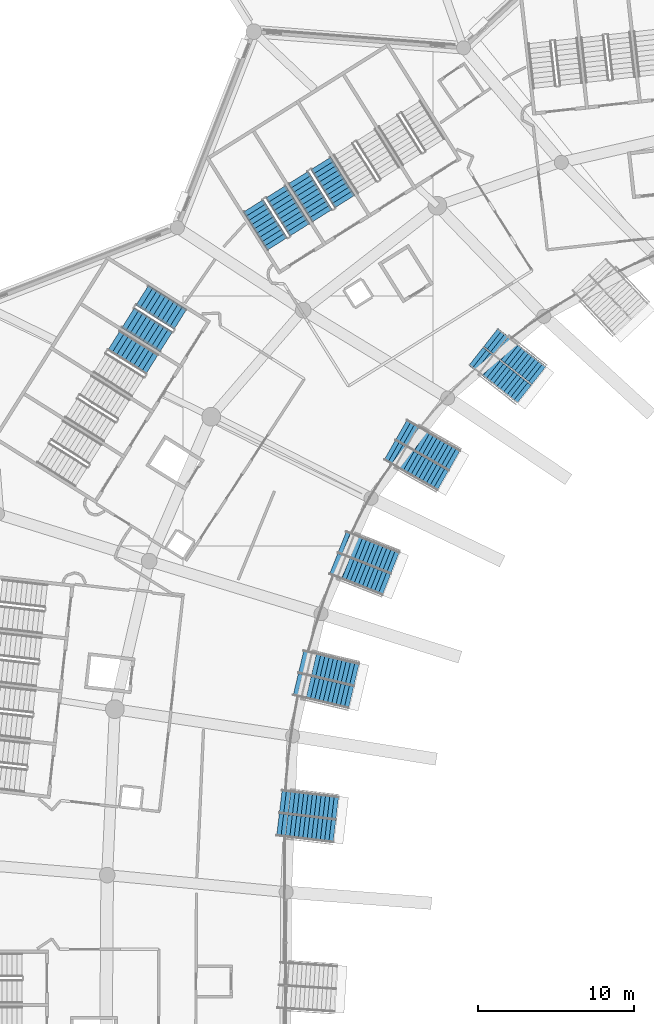
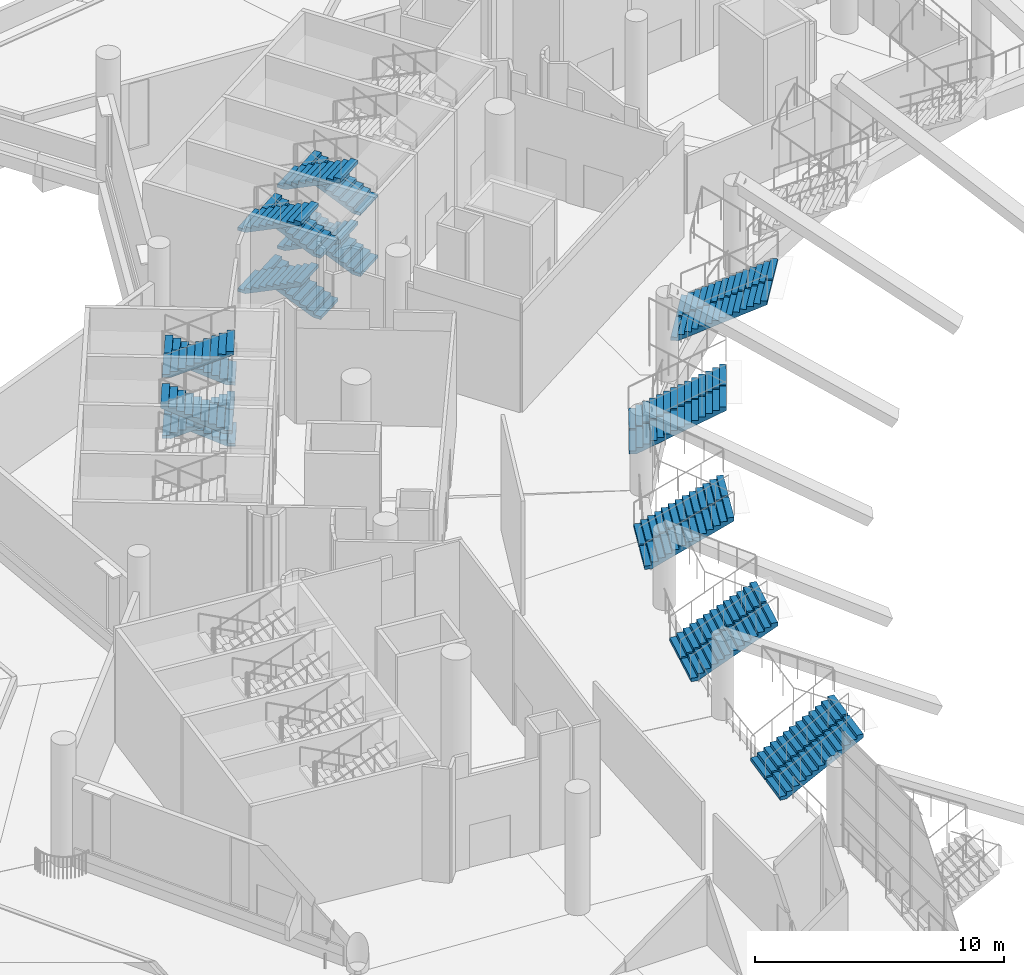
# One storey, part 94 of 173: 23 stair flights, 9 elements without a shape of their own.
"""IFC4 building model written with IfcOpenShell, lengths in metres."""

from ifc_helpers import new_model, si_unit, direction, frame, origin, place, context, subcontext, project, spatial, polyline, outline, extrude, material, type_object, element, aggregate, save


model = new_model("IFC4")

# Units and contexts
model_context = context("Model", 3, precision=1e-05, world=origin(), true_north=direction((0.0, 1.0)))
body_context = subcontext(model_context, "Body", "Model", "MODEL_VIEW")
ifc_project = project(units=[si_unit("LENGTHUNIT", "METRE"), si_unit("AREAUNIT", "SQUARE_METRE"), si_unit("VOLUMEUNIT", "CUBIC_METRE"), si_unit("PLANEANGLEUNIT", "RADIAN"), si_unit("MASSUNIT", "GRAM", prefix="KILO")], contexts=[model_context])

# Site, building, storey
site_placement = place(None, origin())
site = spatial("IfcSite", under=ifc_project, at=site_placement, CompositionType="ELEMENT")
building_placement = place(site_placement, origin())
building = spatial("IfcBuilding", under=site, at=building_placement, Name="Meseta Stadium", CompositionType="ELEMENT")
storey_placement = place(building_placement, frame((0.0, 0.0, 18.0)))
storey = spatial("IfcBuildingStorey", under=building, at=storey_placement, Name="L03", CompositionType="ELEMENT", Elevation=18.0)

# Stair, stair flights
ifc_material_1 = material(Name="Concrete C40/50", Category="concrete")
stair_type_1 = type_object("IfcStairType", Name="Exit stair 4 flights 150 mm risers", PredefinedType="HALF_TURN_STAIR", material=ifc_material_1)
stair_1_placement = place(storey_placement, origin())
stair_1 = element("IfcStair", 1, at=stair_1_placement, inside=storey, type_object=stair_type_1, Name="ST51 L03", PredefinedType="HALF_TURN_STAIR")
ifc_material_2 = material(Name="Concrete C40/50", Category="concrete")
stair_flight_type_1 = type_object("IfcStairFlightType", Name="Exit stair flight 150 mm risers, 4 per storey", PredefinedType="STRAIGHT", material=ifc_material_2)
stair_flight_1_placement = place(storey_placement, frame((-69.650390625, 86.04150390625, 0.0), z_axis=(0.0, 0.0, 1.0), x_axis=(-0.532032074404, 0.846724200555, 0.0)))
stair_flight_1 = element("IfcStairFlight", 2, at=stair_flight_1_placement, type_object=stair_flight_type_1, Name="ST51 L03 flight 1", NumberOfRisers=10, NumberOfTreads=9, PredefinedType="STRAIGHT", RiserHeight=0.15, TreadLength=0.32, context=body_context, shape_type="SweptSolid", body=[
    extrude(outline(polyline([(0.0, 0.0), (0.0, 0.14990234375), (0.320068359375, 0.14990234375), (0.320068359375, 0.300048828125), (0.639892578125, 0.300048828125), (0.639892578125, 0.449951171875), (0.9599609375, 0.449951171875), (0.9599609375, 0.60009765625), (1.280029296875, 0.60009765625), (1.280029296875, 0.75), (1.60009765625, 0.75), (1.60009765625, 0.89990234375), (1.919921875, 0.89990234375), (1.919921875, 1.050048828125), (2.239990234375, 1.050048828125), (2.239990234375, 1.199951171875), (2.56005859375, 1.199951171875), (2.56005859375, 1.35009765625), (2.8798828125, 1.35009765625), (2.8798828125, 1.184326171875), (0.353271484375, 0.0), (0.0, 0.0)])), frame((0.0, 0.75, 0.0), z_axis=(0.0, -1.0, 0.0), x_axis=(1.0, 0.0, 0.0)), (0.0, 0.0, 1.0), 1.5),
])
stair_flight_2_placement = place(storey_placement, frame((-72.6220703125, 87.57568359375, 1.5), z_axis=(0.0, 0.0, 1.0), x_axis=(0.532032074404, -0.846724200555, 0.0)))
stair_flight_2 = element("IfcStairFlight", 3, at=stair_flight_2_placement, type_object=stair_flight_type_1, Name="ST51 L03 flight 2", NumberOfRisers=10, NumberOfTreads=9, PredefinedType="STRAIGHT", RiserHeight=0.15, TreadLength=0.32, context=body_context, shape_type="SweptSolid", body=[
    extrude(outline(polyline([(0.0, 0.0), (0.0, 0.14990234375), (0.320068359375, 0.14990234375), (0.320068359375, 0.300048828125), (0.639892578125, 0.300048828125), (0.639892578125, 0.449951171875), (0.9599609375, 0.449951171875), (0.9599609375, 0.60009765625), (1.280029296875, 0.60009765625), (1.280029296875, 0.75), (1.60009765625, 0.75), (1.60009765625, 0.89990234375), (1.919921875, 0.89990234375), (1.919921875, 1.050048828125), (2.239990234375, 1.050048828125), (2.239990234375, 1.199951171875), (2.56005859375, 1.199951171875), (2.56005859375, 1.35009765625), (2.8798828125, 1.35009765625), (2.8798828125, 1.184326171875), (0.353271484375, 0.0), (0.0, 0.0)])), frame((0.0, 0.75, 0.0), z_axis=(0.0, -1.0, 0.0), x_axis=(1.0, 0.0, 0.0)), (0.0, 0.0, 1.0), 1.5),
])
stair_flight_3_placement = place(storey_placement, frame((-69.650390625, 86.04150390625, 3.0), z_axis=(0.0, 0.0, 1.0), x_axis=(-0.532032074404, 0.846724200555, 0.0)))
stair_flight_3 = element("IfcStairFlight", 4, at=stair_flight_3_placement, type_object=stair_flight_type_1, Name="ST51 L03 flight 3", NumberOfRisers=10, NumberOfTreads=9, PredefinedType="STRAIGHT", RiserHeight=0.15, TreadLength=0.32, context=body_context, shape_type="SweptSolid", body=[
    extrude(outline(polyline([(0.0, 0.0), (0.0, 0.14990234375), (0.320068359375, 0.14990234375), (0.320068359375, 0.300048828125), (0.639892578125, 0.300048828125), (0.639892578125, 0.449951171875), (0.9599609375, 0.449951171875), (0.9599609375, 0.60009765625), (1.280029296875, 0.60009765625), (1.280029296875, 0.75), (1.60009765625, 0.75), (1.60009765625, 0.89990234375), (1.919921875, 0.89990234375), (1.919921875, 1.050048828125), (2.239990234375, 1.050048828125), (2.239990234375, 1.199951171875), (2.56005859375, 1.199951171875), (2.56005859375, 1.35009765625), (2.8798828125, 1.35009765625), (2.8798828125, 1.184326171875), (0.353271484375, 0.0), (0.0, 0.0)])), frame((0.0, 0.75, 0.0), z_axis=(0.0, -1.0, 0.0), x_axis=(1.0, 0.0, 0.0)), (0.0, 0.0, 1.0), 1.5),
])
stair_flight_4_placement = place(storey_placement, frame((-72.6220703125, 87.57568359375, 4.5), z_axis=(0.0, 0.0, 1.0), x_axis=(0.532032074404, -0.846724200555, 0.0)))
stair_flight_4 = element("IfcStairFlight", 5, at=stair_flight_4_placement, type_object=stair_flight_type_1, Name="ST51 L03 flight 4", NumberOfRisers=10, NumberOfTreads=9, PredefinedType="STRAIGHT", RiserHeight=0.15, TreadLength=0.32, context=body_context, shape_type="SweptSolid", body=[
    extrude(outline(polyline([(0.0, 0.0), (0.0, 0.14990234375), (0.320068359375, 0.14990234375), (0.320068359375, 0.300048828125), (0.639892578125, 0.300048828125), (0.639892578125, 0.449951171875), (0.9599609375, 0.449951171875), (0.9599609375, 0.60009765625), (1.280029296875, 0.60009765625), (1.280029296875, 0.75), (1.60009765625, 0.75), (1.60009765625, 0.89990234375), (1.919921875, 0.89990234375), (1.919921875, 1.050048828125), (2.239990234375, 1.050048828125), (2.239990234375, 1.199951171875), (2.56005859375, 1.199951171875), (2.56005859375, 1.35009765625), (2.8798828125, 1.35009765625), (2.8798828125, 1.184326171875), (0.353271484375, 0.0), (0.0, 0.0)])), frame((0.0, 0.75, 0.0), z_axis=(0.0, -1.0, 0.0), x_axis=(1.0, 0.0, 0.0)), (0.0, 0.0, 1.0), 1.5),
])
aggregate(stair_1, [stair_flight_1, stair_flight_2, stair_flight_3, stair_flight_4])

stair_2_placement = place(storey_placement, origin())
stair_2 = element("IfcStair", 6, at=stair_2_placement, inside=storey, type_object=stair_type_1, Name="ST52 L03", PredefinedType="HALF_TURN_STAIR")
stair_flight_5_placement = place(storey_placement, frame((-72.529052734375, 84.232666015625, 0.0), z_axis=(0.0, 0.0, 1.0), x_axis=(-0.532032074404, 0.846724200555, 0.0)))
stair_flight_5 = element("IfcStairFlight", 7, at=stair_flight_5_placement, type_object=stair_flight_type_1, Name="ST52 L03 flight 1", NumberOfRisers=10, NumberOfTreads=9, PredefinedType="STRAIGHT", RiserHeight=0.15, TreadLength=0.32, context=body_context, shape_type="SweptSolid", body=[
    extrude(outline(polyline([(0.0, 0.0), (0.0, 0.14990234375), (0.320068359375, 0.14990234375), (0.320068359375, 0.300048828125), (0.639892578125, 0.300048828125), (0.639892578125, 0.449951171875), (0.9599609375, 0.449951171875), (0.9599609375, 0.60009765625), (1.280029296875, 0.60009765625), (1.280029296875, 0.75), (1.60009765625, 0.75), (1.60009765625, 0.89990234375), (1.919921875, 0.89990234375), (1.919921875, 1.050048828125), (2.239990234375, 1.050048828125), (2.239990234375, 1.199951171875), (2.56005859375, 1.199951171875), (2.56005859375, 1.35009765625), (2.8798828125, 1.35009765625), (2.8798828125, 1.184326171875), (0.353271484375, 0.0), (0.0, 0.0)])), frame((0.0, 0.75, 0.0), z_axis=(0.0, -1.0, 0.0), x_axis=(1.0, 0.0, 0.0)), (0.0, 0.0, 1.0), 1.5),
])
stair_flight_6_placement = place(storey_placement, frame((-75.500732421875, 85.766845703125, 1.5), z_axis=(0.0, 0.0, 1.0), x_axis=(0.532032074404, -0.846724200555, 0.0)))
stair_flight_6 = element("IfcStairFlight", 8, at=stair_flight_6_placement, type_object=stair_flight_type_1, Name="ST52 L03 flight 2", NumberOfRisers=10, NumberOfTreads=9, PredefinedType="STRAIGHT", RiserHeight=0.15, TreadLength=0.32, context=body_context, shape_type="SweptSolid", body=[
    extrude(outline(polyline([(0.0, 0.0), (0.0, 0.14990234375), (0.320068359375, 0.14990234375), (0.320068359375, 0.300048828125), (0.639892578125, 0.300048828125), (0.639892578125, 0.449951171875), (0.9599609375, 0.449951171875), (0.9599609375, 0.60009765625), (1.280029296875, 0.60009765625), (1.280029296875, 0.75), (1.60009765625, 0.75), (1.60009765625, 0.89990234375), (1.919921875, 0.89990234375), (1.919921875, 1.050048828125), (2.239990234375, 1.050048828125), (2.239990234375, 1.199951171875), (2.56005859375, 1.199951171875), (2.56005859375, 1.35009765625), (2.8798828125, 1.35009765625), (2.8798828125, 1.184326171875), (0.353271484375, 0.0), (0.0, 0.0)])), frame((0.0, 0.75, 0.0), z_axis=(0.0, -1.0, 0.0), x_axis=(1.0, 0.0, 0.0)), (0.0, 0.0, 1.0), 1.5),
])
stair_flight_7_placement = place(storey_placement, frame((-72.529052734375, 84.232666015625, 3.0), z_axis=(0.0, 0.0, 1.0), x_axis=(-0.532032074404, 0.846724200555, 0.0)))
stair_flight_7 = element("IfcStairFlight", 9, at=stair_flight_7_placement, type_object=stair_flight_type_1, Name="ST52 L03 flight 3", NumberOfRisers=10, NumberOfTreads=9, PredefinedType="STRAIGHT", RiserHeight=0.15, TreadLength=0.32, context=body_context, shape_type="SweptSolid", body=[
    extrude(outline(polyline([(0.0, 0.0), (0.0, 0.14990234375), (0.320068359375, 0.14990234375), (0.320068359375, 0.300048828125), (0.639892578125, 0.300048828125), (0.639892578125, 0.449951171875), (0.9599609375, 0.449951171875), (0.9599609375, 0.60009765625), (1.280029296875, 0.60009765625), (1.280029296875, 0.75), (1.60009765625, 0.75), (1.60009765625, 0.89990234375), (1.919921875, 0.89990234375), (1.919921875, 1.050048828125), (2.239990234375, 1.050048828125), (2.239990234375, 1.199951171875), (2.56005859375, 1.199951171875), (2.56005859375, 1.35009765625), (2.8798828125, 1.35009765625), (2.8798828125, 1.184326171875), (0.353271484375, 0.0), (0.0, 0.0)])), frame((0.0, 0.75, 0.0), z_axis=(0.0, -1.0, 0.0), x_axis=(1.0, 0.0, 0.0)), (0.0, 0.0, 1.0), 1.5),
])
stair_flight_8_placement = place(storey_placement, frame((-75.500732421875, 85.766845703125, 4.5), z_axis=(0.0, 0.0, 1.0), x_axis=(0.532032074404, -0.846724200555, 0.0)))
stair_flight_8 = element("IfcStairFlight", 10, at=stair_flight_8_placement, type_object=stair_flight_type_1, Name="ST52 L03 flight 4", NumberOfRisers=10, NumberOfTreads=9, PredefinedType="STRAIGHT", RiserHeight=0.15, TreadLength=0.32, context=body_context, shape_type="SweptSolid", body=[
    extrude(outline(polyline([(0.0, 0.0), (0.0, 0.14990234375), (0.320068359375, 0.14990234375), (0.320068359375, 0.300048828125), (0.639892578125, 0.300048828125), (0.639892578125, 0.449951171875), (0.9599609375, 0.449951171875), (0.9599609375, 0.60009765625), (1.280029296875, 0.60009765625), (1.280029296875, 0.75), (1.60009765625, 0.75), (1.60009765625, 0.89990234375), (1.919921875, 0.89990234375), (1.919921875, 1.050048828125), (2.239990234375, 1.050048828125), (2.239990234375, 1.199951171875), (2.56005859375, 1.199951171875), (2.56005859375, 1.35009765625), (2.8798828125, 1.35009765625), (2.8798828125, 1.184326171875), (0.353271484375, 0.0), (0.0, 0.0)])), frame((0.0, 0.75, 0.0), z_axis=(0.0, -1.0, 0.0), x_axis=(1.0, 0.0, 0.0)), (0.0, 0.0, 1.0), 1.5),
])
aggregate(stair_2, [stair_flight_5, stair_flight_6, stair_flight_7, stair_flight_8])

stair_3_placement = place(storey_placement, origin())
stair_3 = element("IfcStair", 11, at=stair_3_placement, inside=storey, type_object=stair_type_1, Name="ST53 L03", PredefinedType="HALF_TURN_STAIR")
stair_flight_9_placement = place(storey_placement, frame((-80.175048828125, 78.500732421875, 0.0), z_axis=(0.0, 0.0, 1.0), x_axis=(-0.846724200555, 0.532032074404, 0.0)))
stair_flight_9 = element("IfcStairFlight", 12, at=stair_flight_9_placement, type_object=stair_flight_type_1, Name="ST53 L03 flight 1", NumberOfRisers=10, NumberOfTreads=9, PredefinedType="STRAIGHT", RiserHeight=0.15, TreadLength=0.32, context=body_context, shape_type="SweptSolid", body=[
    extrude(outline(polyline([(0.0, 0.0), (0.0, 0.14990234375), (0.320068359375, 0.14990234375), (0.320068359375, 0.300048828125), (0.639892578125, 0.300048828125), (0.639892578125, 0.449951171875), (0.9599609375, 0.449951171875), (0.9599609375, 0.60009765625), (1.280029296875, 0.60009765625), (1.280029296875, 0.75), (1.60009765625, 0.75), (1.60009765625, 0.89990234375), (1.919921875, 0.89990234375), (1.919921875, 1.050048828125), (2.239990234375, 1.050048828125), (2.239990234375, 1.199951171875), (2.56005859375, 1.199951171875), (2.56005859375, 1.35009765625), (2.8798828125, 1.35009765625), (2.8798828125, 1.184326171875), (0.353271484375, 0.0), (0.0, 0.0)])), frame((0.0, 0.75, 0.0), z_axis=(0.0, -1.0, 0.0), x_axis=(1.0, 0.0, 0.0)), (0.0, 0.0, 1.0), 1.5),
])
stair_flight_10_placement = place(storey_placement, frame((-83.51806640625, 78.593505859375, 1.5), z_axis=(0.0, 0.0, 1.0), x_axis=(0.846724200555, -0.532032074404, 0.0)))
stair_flight_10 = element("IfcStairFlight", 13, at=stair_flight_10_placement, type_object=stair_flight_type_1, Name="ST53 L03 flight 2", NumberOfRisers=10, NumberOfTreads=9, PredefinedType="STRAIGHT", RiserHeight=0.15, TreadLength=0.32, context=body_context, shape_type="SweptSolid", body=[
    extrude(outline(polyline([(0.0, 0.0), (0.0, 0.14990234375), (0.320068359375, 0.14990234375), (0.320068359375, 0.300048828125), (0.639892578125, 0.300048828125), (0.639892578125, 0.449951171875), (0.9599609375, 0.449951171875), (0.9599609375, 0.60009765625), (1.280029296875, 0.60009765625), (1.280029296875, 0.75), (1.60009765625, 0.75), (1.60009765625, 0.89990234375), (1.919921875, 0.89990234375), (1.919921875, 1.050048828125), (2.239990234375, 1.050048828125), (2.239990234375, 1.199951171875), (2.56005859375, 1.199951171875), (2.56005859375, 1.35009765625), (2.8798828125, 1.35009765625), (2.8798828125, 1.184326171875), (0.353271484375, 0.0), (0.0, 0.0)])), frame((0.0, 0.75, 0.0), z_axis=(0.0, -1.0, 0.0), x_axis=(1.0, 0.0, 0.0)), (0.0, 0.0, 1.0), 1.5),
])
stair_flight_11_placement = place(storey_placement, frame((-80.175048828125, 78.500732421875, 3.0), z_axis=(0.0, 0.0, 1.0), x_axis=(-0.846724200555, 0.532032074404, 0.0)))
stair_flight_11 = element("IfcStairFlight", 14, at=stair_flight_11_placement, type_object=stair_flight_type_1, Name="ST53 L03 flight 3", NumberOfRisers=10, NumberOfTreads=9, PredefinedType="STRAIGHT", RiserHeight=0.15, TreadLength=0.32, context=body_context, shape_type="SweptSolid", body=[
    extrude(outline(polyline([(0.0, 0.0), (0.0, 0.14990234375), (0.320068359375, 0.14990234375), (0.320068359375, 0.300048828125), (0.639892578125, 0.300048828125), (0.639892578125, 0.449951171875), (0.9599609375, 0.449951171875), (0.9599609375, 0.60009765625), (1.280029296875, 0.60009765625), (1.280029296875, 0.75), (1.60009765625, 0.75), (1.60009765625, 0.89990234375), (1.919921875, 0.89990234375), (1.919921875, 1.050048828125), (2.239990234375, 1.050048828125), (2.239990234375, 1.199951171875), (2.56005859375, 1.199951171875), (2.56005859375, 1.35009765625), (2.8798828125, 1.35009765625), (2.8798828125, 1.184326171875), (0.353271484375, 0.0), (0.0, 0.0)])), frame((0.0, 0.75, 0.0), z_axis=(0.0, -1.0, 0.0), x_axis=(1.0, 0.0, 0.0)), (0.0, 0.0, 1.0), 1.5),
])
stair_flight_12_placement = place(storey_placement, frame((-83.51806640625, 78.593505859375, 4.5), z_axis=(0.0, 0.0, 1.0), x_axis=(0.846724200555, -0.532032074404, 0.0)))
stair_flight_12 = element("IfcStairFlight", 15, at=stair_flight_12_placement, type_object=stair_flight_type_1, Name="ST53 L03 flight 4", NumberOfRisers=10, NumberOfTreads=9, PredefinedType="STRAIGHT", RiserHeight=0.15, TreadLength=0.32, context=body_context, shape_type="SweptSolid", body=[
    extrude(outline(polyline([(0.0, 0.0), (0.0, 0.14990234375), (0.320068359375, 0.14990234375), (0.320068359375, 0.300048828125), (0.639892578125, 0.300048828125), (0.639892578125, 0.449951171875), (0.9599609375, 0.449951171875), (0.9599609375, 0.60009765625), (1.280029296875, 0.60009765625), (1.280029296875, 0.75), (1.60009765625, 0.75), (1.60009765625, 0.89990234375), (1.919921875, 0.89990234375), (1.919921875, 1.050048828125), (2.239990234375, 1.050048828125), (2.239990234375, 1.199951171875), (2.56005859375, 1.199951171875), (2.56005859375, 1.35009765625), (2.8798828125, 1.35009765625), (2.8798828125, 1.184326171875), (0.353271484375, 0.0), (0.0, 0.0)])), frame((0.0, 0.75, 0.0), z_axis=(0.0, -1.0, 0.0), x_axis=(1.0, 0.0, 0.0)), (0.0, 0.0, 1.0), 1.5),
])
aggregate(stair_3, [stair_flight_9, stair_flight_10, stair_flight_11, stair_flight_12])

# Stair, stair flight
stair_4_placement = place(storey_placement, origin())
stair_4 = element("IfcStair", 16, at=stair_4_placement, inside=storey, type_object=stair_type_1, Name="ST54 L03", PredefinedType="HALF_TURN_STAIR")
stair_flight_13_placement = place(storey_placement, frame((-81.98388671875, 75.621826171875, 3.0), z_axis=(0.0, 0.0, 1.0), x_axis=(-0.846724200555, 0.532032074404, 0.0)))
stair_flight_13 = element("IfcStairFlight", 17, at=stair_flight_13_placement, type_object=stair_flight_type_1, Name="ST54 L03 flight 3", NumberOfRisers=10, NumberOfTreads=9, PredefinedType="STRAIGHT", RiserHeight=0.15, TreadLength=0.32, context=body_context, shape_type="SweptSolid", body=[
    extrude(outline(polyline([(0.0, 0.0), (0.0, 0.14990234375), (0.320068359375, 0.14990234375), (0.320068359375, 0.300048828125), (0.639892578125, 0.300048828125), (0.639892578125, 0.449951171875), (0.9599609375, 0.449951171875), (0.9599609375, 0.60009765625), (1.280029296875, 0.60009765625), (1.280029296875, 0.75), (1.60009765625, 0.75), (1.60009765625, 0.89990234375), (1.919921875, 0.89990234375), (1.919921875, 1.050048828125), (2.239990234375, 1.050048828125), (2.239990234375, 1.199951171875), (2.56005859375, 1.199951171875), (2.56005859375, 1.35009765625), (2.8798828125, 1.35009765625), (2.8798828125, 1.184326171875), (0.353271484375, 0.0), (0.0, 0.0)])), frame((0.0, 0.75, 0.0), z_axis=(0.0, -1.0, 0.0), x_axis=(1.0, 0.0, 0.0)), (0.0, 0.0, 1.0), 1.5),
])
aggregate(stair_4, [stair_flight_13])

# Stair, stair flights
ifc_material_3 = material(Name="Concrete C40/50", Category="concrete")
stair_type_2 = type_object("IfcStairType", Name="Vomitory stair 3000", PredefinedType="STRAIGHT_RUN_STAIR", material=ifc_material_3)
stair_5_placement = place(storey_placement, origin())
stair_5 = element("IfcStair", 18, at=stair_5_placement, inside=storey, type_object=stair_type_2, Name="Vomitory V-upper-25", PredefinedType="STRAIGHT_RUN_STAIR")
ifc_material_4 = material(Name="Concrete C40/50", Category="concrete")
stair_flight_type_2 = type_object("IfcStairFlightType", Name="Vomitory stair flight 1450", PredefinedType="STRAIGHT", material=ifc_material_4)
stair_flight_14_placement = place(storey_placement, frame((-60.303955078125, 77.348388671875, 0.0), z_axis=(0.0, 0.0, 1.0), x_axis=(0.786141751877, -0.618046232862, 0.0)))
stair_flight_14 = element("IfcStairFlight", 19, at=stair_flight_14_placement, type_object=stair_flight_type_2, Name="Vomitory V-upper-25 flight 1", NumberOfRisers=15, NumberOfTreads=14, PredefinedType="STRAIGHT", RiserHeight=0.164945, TreadLength=0.28, context=body_context, shape_type="SweptSolid", body=[
    extrude(outline(polyline([(0.0, 0.0), (0.0, 0.1650390625), (0.280029296875, 0.1650390625), (0.280029296875, 0.329833984375), (0.56005859375, 0.329833984375), (0.56005859375, 0.494873046875), (0.840087890625, 0.494873046875), (0.840087890625, 0.65966796875), (1.1201171875, 0.65966796875), (1.1201171875, 0.82470703125), (1.39990234375, 0.82470703125), (1.39990234375, 0.98974609375), (1.679931640625, 0.98974609375), (1.679931640625, 1.154541015625), (1.9599609375, 1.154541015625), (1.9599609375, 1.319580078125), (2.239990234375, 1.319580078125), (2.239990234375, 1.484619140625), (2.52001953125, 1.484619140625), (2.52001953125, 1.6494140625), (2.800048828125, 1.6494140625), (2.800048828125, 1.814453125), (3.080078125, 1.814453125), (3.080078125, 1.979248046875), (3.360107421875, 1.979248046875), (3.360107421875, 2.144287109375), (3.639892578125, 2.144287109375), (3.639892578125, 2.309326171875), (3.919921875, 2.309326171875), (3.919921875, 2.13525390625), (0.29541015625, 0.0), (0.0, 0.0)])), frame((0.0, 0.72509765625, 0.0), z_axis=(0.0, -1.0, 0.0), x_axis=(1.0, 0.0, 0.0)), (0.0, 0.0, 1.0), 1.449951171875),
])
stair_flight_15_placement = place(storey_placement, frame((-61.261962890625, 76.1298828125, 0.0), z_axis=(0.0, 0.0, 1.0), x_axis=(0.786141751877, -0.618046232862, 0.0)))
stair_flight_15 = element("IfcStairFlight", 20, at=stair_flight_15_placement, type_object=stair_flight_type_2, Name="Vomitory V-upper-25 flight 2", NumberOfRisers=15, NumberOfTreads=14, PredefinedType="STRAIGHT", RiserHeight=0.164945, TreadLength=0.28, context=body_context, shape_type="SweptSolid", body=[
    extrude(outline(polyline([(0.0, 0.0), (0.0, 0.1650390625), (0.280029296875, 0.1650390625), (0.280029296875, 0.329833984375), (0.56005859375, 0.329833984375), (0.56005859375, 0.494873046875), (0.840087890625, 0.494873046875), (0.840087890625, 0.65966796875), (1.1201171875, 0.65966796875), (1.1201171875, 0.82470703125), (1.39990234375, 0.82470703125), (1.39990234375, 0.98974609375), (1.679931640625, 0.98974609375), (1.679931640625, 1.154541015625), (1.9599609375, 1.154541015625), (1.9599609375, 1.319580078125), (2.239990234375, 1.319580078125), (2.239990234375, 1.484619140625), (2.52001953125, 1.484619140625), (2.52001953125, 1.6494140625), (2.800048828125, 1.6494140625), (2.800048828125, 1.814453125), (3.080078125, 1.814453125), (3.080078125, 1.979248046875), (3.360107421875, 1.979248046875), (3.360107421875, 2.144287109375), (3.639892578125, 2.144287109375), (3.639892578125, 2.309326171875), (3.919921875, 2.309326171875), (3.919921875, 2.13525390625), (0.29541015625, 0.0), (0.0, 0.0)])), frame((0.0, 0.72509765625, 0.0), z_axis=(0.0, -1.0, 0.0), x_axis=(1.0, 0.0, 0.0)), (0.0, 0.0, 1.0), 1.449951171875),
])
aggregate(stair_5, [stair_flight_14, stair_flight_15])

stair_6_placement = place(storey_placement, origin())
stair_6 = element("IfcStair", 21, at=stair_6_placement, inside=storey, type_object=stair_type_2, Name="Vomitory V-upper-26", PredefinedType="STRAIGHT_RUN_STAIR")
stair_flight_16_placement = place(storey_placement, frame((-66.017822265625, 71.462646484375, 0.0), z_axis=(0.0, 0.0, 1.0), x_axis=(0.867711670531, -0.497067859376, 0.0)))
stair_flight_16 = element("IfcStairFlight", 22, at=stair_flight_16_placement, type_object=stair_flight_type_2, Name="Vomitory V-upper-26 flight 1", NumberOfRisers=15, NumberOfTreads=14, PredefinedType="STRAIGHT", RiserHeight=0.164991, TreadLength=0.28, context=body_context, shape_type="SweptSolid", body=[
    extrude(outline(polyline([(0.0, 0.0), (0.0, 0.1650390625), (0.280029296875, 0.1650390625), (0.280029296875, 0.330078125), (0.56005859375, 0.330078125), (0.56005859375, 0.494873046875), (0.840087890625, 0.494873046875), (0.840087890625, 0.659912109375), (1.1201171875, 0.659912109375), (1.1201171875, 0.824951171875), (1.39990234375, 0.824951171875), (1.39990234375, 0.989990234375), (1.679931640625, 0.989990234375), (1.679931640625, 1.155029296875), (1.9599609375, 1.155029296875), (1.9599609375, 1.31982421875), (2.239990234375, 1.31982421875), (2.239990234375, 1.48486328125), (2.52001953125, 1.48486328125), (2.52001953125, 1.64990234375), (2.800048828125, 1.64990234375), (2.800048828125, 1.81494140625), (3.080078125, 1.81494140625), (3.080078125, 1.97998046875), (3.360107421875, 1.97998046875), (3.360107421875, 2.144775390625), (3.639892578125, 2.144775390625), (3.639892578125, 2.309814453125), (3.919921875, 2.309814453125), (3.919921875, 2.135986328125), (0.295166015625, 0.0), (0.0, 0.0)])), frame((0.0, 0.72509765625, 0.0), z_axis=(0.0, -1.0, 0.0), x_axis=(1.0, 0.0, 0.0)), (0.0, 0.0, 1.0), 1.449951171875),
])
stair_flight_17_placement = place(storey_placement, frame((-66.788330078125, 70.11767578125, 0.0), z_axis=(0.0, 0.0, 1.0), x_axis=(0.867711670531, -0.497067859376, 0.0)))
stair_flight_17 = element("IfcStairFlight", 23, at=stair_flight_17_placement, type_object=stair_flight_type_2, Name="Vomitory V-upper-26 flight 2", NumberOfRisers=15, NumberOfTreads=14, PredefinedType="STRAIGHT", RiserHeight=0.164991, TreadLength=0.28, context=body_context, shape_type="SweptSolid", body=[
    extrude(outline(polyline([(0.0, 0.0), (0.0, 0.1650390625), (0.280029296875, 0.1650390625), (0.280029296875, 0.330078125), (0.56005859375, 0.330078125), (0.56005859375, 0.494873046875), (0.840087890625, 0.494873046875), (0.840087890625, 0.659912109375), (1.1201171875, 0.659912109375), (1.1201171875, 0.824951171875), (1.39990234375, 0.824951171875), (1.39990234375, 0.989990234375), (1.679931640625, 0.989990234375), (1.679931640625, 1.155029296875), (1.9599609375, 1.155029296875), (1.9599609375, 1.31982421875), (2.239990234375, 1.31982421875), (2.239990234375, 1.48486328125), (2.52001953125, 1.48486328125), (2.52001953125, 1.64990234375), (2.800048828125, 1.64990234375), (2.800048828125, 1.81494140625), (3.080078125, 1.81494140625), (3.080078125, 1.97998046875), (3.360107421875, 1.97998046875), (3.360107421875, 2.144775390625), (3.639892578125, 2.144775390625), (3.639892578125, 2.309814453125), (3.919921875, 2.309814453125), (3.919921875, 2.135986328125), (0.295166015625, 0.0), (0.0, 0.0)])), frame((0.0, 0.72509765625, 0.0), z_axis=(0.0, -1.0, 0.0), x_axis=(1.0, 0.0, 0.0)), (0.0, 0.0, 1.0), 1.449951171875),
])
aggregate(stair_6, [stair_flight_16, stair_flight_17])

stair_7_placement = place(storey_placement, origin())
stair_7 = element("IfcStair", 24, at=stair_7_placement, inside=storey, type_object=stair_type_2, Name="Vomitory V-upper-27", PredefinedType="STRAIGHT_RUN_STAIR")
stair_flight_18_placement = place(storey_placement, frame((-69.8056640625, 64.292724609375, 0.0), z_axis=(0.0, 0.0, 1.0), x_axis=(0.930263326339, -0.366892550576, 0.0)))
stair_flight_18 = element("IfcStairFlight", 25, at=stair_flight_18_placement, type_object=stair_flight_type_2, Name="Vomitory V-upper-27 flight 1", NumberOfRisers=14, NumberOfTreads=13, PredefinedType="STRAIGHT", RiserHeight=0.167897, TreadLength=0.28, context=body_context, shape_type="SweptSolid", body=[
    extrude(outline(polyline([(0.0, 0.0), (0.0, 0.16796875), (0.280029296875, 0.16796875), (0.280029296875, 0.335693359375), (0.56005859375, 0.335693359375), (0.56005859375, 0.503662109375), (0.840087890625, 0.503662109375), (0.840087890625, 0.671630859375), (1.1201171875, 0.671630859375), (1.1201171875, 0.839599609375), (1.39990234375, 0.839599609375), (1.39990234375, 1.00732421875), (1.679931640625, 1.00732421875), (1.679931640625, 1.17529296875), (1.9599609375, 1.17529296875), (1.9599609375, 1.34326171875), (2.239990234375, 1.34326171875), (2.239990234375, 1.510986328125), (2.52001953125, 1.510986328125), (2.52001953125, 1.678955078125), (2.800048828125, 1.678955078125), (2.800048828125, 1.846923828125), (3.080078125, 1.846923828125), (3.080078125, 2.0146484375), (3.360107421875, 2.0146484375), (3.360107421875, 2.1826171875), (3.639892578125, 2.1826171875), (3.639892578125, 2.0078125), (0.29150390625, 0.0), (0.0, 0.0)])), frame((0.0, 0.72509765625, 0.0), z_axis=(0.0, -1.0, 0.0), x_axis=(1.0, 0.0, 0.0)), (0.0, 0.0, 1.0), 1.449951171875),
])
stair_flight_19_placement = place(storey_placement, frame((-70.37451171875, 62.850830078125, 0.0), z_axis=(0.0, 0.0, 1.0), x_axis=(0.930263326339, -0.366892550576, 0.0)))
stair_flight_19 = element("IfcStairFlight", 26, at=stair_flight_19_placement, type_object=stair_flight_type_2, Name="Vomitory V-upper-27 flight 2", NumberOfRisers=14, NumberOfTreads=13, PredefinedType="STRAIGHT", RiserHeight=0.167897, TreadLength=0.28, context=body_context, shape_type="SweptSolid", body=[
    extrude(outline(polyline([(0.0, 0.0), (0.0, 0.16796875), (0.280029296875, 0.16796875), (0.280029296875, 0.335693359375), (0.56005859375, 0.335693359375), (0.56005859375, 0.503662109375), (0.840087890625, 0.503662109375), (0.840087890625, 0.671630859375), (1.1201171875, 0.671630859375), (1.1201171875, 0.839599609375), (1.39990234375, 0.839599609375), (1.39990234375, 1.00732421875), (1.679931640625, 1.00732421875), (1.679931640625, 1.17529296875), (1.9599609375, 1.17529296875), (1.9599609375, 1.34326171875), (2.239990234375, 1.34326171875), (2.239990234375, 1.510986328125), (2.52001953125, 1.510986328125), (2.52001953125, 1.678955078125), (2.800048828125, 1.678955078125), (2.800048828125, 1.846923828125), (3.080078125, 1.846923828125), (3.080078125, 2.0146484375), (3.360107421875, 2.0146484375), (3.360107421875, 2.1826171875), (3.639892578125, 2.1826171875), (3.639892578125, 2.0078125), (0.29150390625, 0.0), (0.0, 0.0)])), frame((0.0, 0.72509765625, 0.0), z_axis=(0.0, -1.0, 0.0), x_axis=(1.0, 0.0, 0.0)), (0.0, 0.0, 1.0), 1.449951171875),
])
aggregate(stair_7, [stair_flight_18, stair_flight_19])

stair_8_placement = place(storey_placement, origin())
stair_8 = element("IfcStair", 27, at=stair_8_placement, inside=storey, type_object=stair_type_2, Name="Vomitory V-upper-28", PredefinedType="STRAIGHT_RUN_STAIR")
stair_flight_20_placement = place(storey_placement, frame((-72.436279296875, 56.642578125, 0.0), z_axis=(0.0, 0.0, 1.0), x_axis=(0.973256309483, -0.229721910255, 0.0)))
stair_flight_20 = element("IfcStairFlight", 28, at=stair_flight_20_placement, type_object=stair_flight_type_2, Name="Vomitory V-upper-28 flight 1", NumberOfRisers=14, NumberOfTreads=13, PredefinedType="STRAIGHT", RiserHeight=0.167905, TreadLength=0.28, context=body_context, shape_type="SweptSolid", body=[
    extrude(outline(polyline([(0.0, 0.0), (0.0, 0.16796875), (0.280029296875, 0.16796875), (0.280029296875, 0.335693359375), (0.56005859375, 0.335693359375), (0.56005859375, 0.503662109375), (0.840087890625, 0.503662109375), (0.840087890625, 0.671630859375), (1.1201171875, 0.671630859375), (1.1201171875, 0.839599609375), (1.39990234375, 0.839599609375), (1.39990234375, 1.00732421875), (1.679931640625, 1.00732421875), (1.679931640625, 1.17529296875), (1.9599609375, 1.17529296875), (1.9599609375, 1.34326171875), (2.239990234375, 1.34326171875), (2.239990234375, 1.51123046875), (2.52001953125, 1.51123046875), (2.52001953125, 1.678955078125), (2.800048828125, 1.678955078125), (2.800048828125, 1.846923828125), (3.080078125, 1.846923828125), (3.080078125, 2.014892578125), (3.360107421875, 2.014892578125), (3.360107421875, 2.182861328125), (3.639892578125, 2.182861328125), (3.639892578125, 2.008056640625), (0.29150390625, 0.0), (0.0, 0.0)])), frame((0.0, 0.72509765625, 0.0), z_axis=(0.0, -1.0, 0.0), x_axis=(1.0, 0.0, 0.0)), (0.0, 0.0, 1.0), 1.449951171875),
])
stair_flight_21_placement = place(storey_placement, frame((-72.79248046875, 55.134033203125, 0.0), z_axis=(0.0, 0.0, 1.0), x_axis=(0.973256309483, -0.229721910255, 0.0)))
stair_flight_21 = element("IfcStairFlight", 29, at=stair_flight_21_placement, type_object=stair_flight_type_2, Name="Vomitory V-upper-28 flight 2", NumberOfRisers=14, NumberOfTreads=13, PredefinedType="STRAIGHT", RiserHeight=0.167905, TreadLength=0.28, context=body_context, shape_type="SweptSolid", body=[
    extrude(outline(polyline([(0.0, 0.0), (0.0, 0.16796875), (0.280029296875, 0.16796875), (0.280029296875, 0.335693359375), (0.56005859375, 0.335693359375), (0.56005859375, 0.503662109375), (0.840087890625, 0.503662109375), (0.840087890625, 0.671630859375), (1.1201171875, 0.671630859375), (1.1201171875, 0.839599609375), (1.39990234375, 0.839599609375), (1.39990234375, 1.00732421875), (1.679931640625, 1.00732421875), (1.679931640625, 1.17529296875), (1.9599609375, 1.17529296875), (1.9599609375, 1.34326171875), (2.239990234375, 1.34326171875), (2.239990234375, 1.51123046875), (2.52001953125, 1.51123046875), (2.52001953125, 1.678955078125), (2.800048828125, 1.678955078125), (2.800048828125, 1.846923828125), (3.080078125, 1.846923828125), (3.080078125, 2.014892578125), (3.360107421875, 2.014892578125), (3.360107421875, 2.182861328125), (3.639892578125, 2.182861328125), (3.639892578125, 2.008056640625), (0.29150390625, 0.0), (0.0, 0.0)])), frame((0.0, 0.72509765625, 0.0), z_axis=(0.0, -1.0, 0.0), x_axis=(1.0, 0.0, 0.0)), (0.0, 0.0, 1.0), 1.449951171875),
])
aggregate(stair_8, [stair_flight_20, stair_flight_21])

stair_9_placement = place(storey_placement, origin())
stair_9 = element("IfcStair", 30, at=stair_9_placement, inside=storey, type_object=stair_type_2, Name="Vomitory V-upper-29", PredefinedType="STRAIGHT_RUN_STAIR")
stair_flight_22_placement = place(storey_placement, frame((-73.7451171875, 47.700439453125, 0.0), z_axis=(0.0, 0.0, 1.0), x_axis=(0.993015017931, -0.117988025512, 0.0)))
stair_flight_22 = element("IfcStairFlight", 31, at=stair_flight_22_placement, type_object=stair_flight_type_2, Name="Vomitory V-upper-29 flight 1", NumberOfRisers=14, NumberOfTreads=13, PredefinedType="STRAIGHT", RiserHeight=0.173526, TreadLength=0.28, context=body_context, shape_type="SweptSolid", body=[
    extrude(outline(polyline([(0.0, 0.0), (0.0, 0.173583984375), (0.280029296875, 0.173583984375), (0.280029296875, 0.34716796875), (0.56005859375, 0.34716796875), (0.56005859375, 0.5205078125), (0.840087890625, 0.5205078125), (0.840087890625, 0.694091796875), (1.1201171875, 0.694091796875), (1.1201171875, 0.86767578125), (1.39990234375, 0.86767578125), (1.39990234375, 1.041259765625), (1.679931640625, 1.041259765625), (1.679931640625, 1.214599609375), (1.9599609375, 1.214599609375), (1.9599609375, 1.38818359375), (2.239990234375, 1.38818359375), (2.239990234375, 1.561767578125), (2.52001953125, 1.561767578125), (2.52001953125, 1.7353515625), (2.800048828125, 1.7353515625), (2.800048828125, 1.90869140625), (3.080078125, 1.90869140625), (3.080078125, 2.082275390625), (3.360107421875, 2.082275390625), (3.360107421875, 2.255859375), (3.639892578125, 2.255859375), (3.639892578125, 2.07958984375), (0.28466796875, 0.0), (0.0, 0.0)])), frame((0.0, 0.72509765625, 0.0), z_axis=(0.0, -1.0, 0.0), x_axis=(1.0, 0.0, 0.0)), (0.0, 0.0, 1.0), 1.449951171875),
])
stair_flight_23_placement = place(storey_placement, frame((-73.927978515625, 46.161376953125, 0.0), z_axis=(0.0, 0.0, 1.0), x_axis=(0.993015017931, -0.117988025512, 0.0)))
stair_flight_23 = element("IfcStairFlight", 32, at=stair_flight_23_placement, type_object=stair_flight_type_2, Name="Vomitory V-upper-29 flight 2", NumberOfRisers=14, NumberOfTreads=13, PredefinedType="STRAIGHT", RiserHeight=0.173526, TreadLength=0.28, context=body_context, shape_type="SweptSolid", body=[
    extrude(outline(polyline([(0.0, 0.0), (0.0, 0.173583984375), (0.280029296875, 0.173583984375), (0.280029296875, 0.34716796875), (0.56005859375, 0.34716796875), (0.56005859375, 0.5205078125), (0.840087890625, 0.5205078125), (0.840087890625, 0.694091796875), (1.1201171875, 0.694091796875), (1.1201171875, 0.86767578125), (1.39990234375, 0.86767578125), (1.39990234375, 1.041259765625), (1.679931640625, 1.041259765625), (1.679931640625, 1.214599609375), (1.9599609375, 1.214599609375), (1.9599609375, 1.38818359375), (2.239990234375, 1.38818359375), (2.239990234375, 1.561767578125), (2.52001953125, 1.561767578125), (2.52001953125, 1.7353515625), (2.800048828125, 1.7353515625), (2.800048828125, 1.90869140625), (3.080078125, 1.90869140625), (3.080078125, 2.082275390625), (3.360107421875, 2.082275390625), (3.360107421875, 2.255859375), (3.639892578125, 2.255859375), (3.639892578125, 2.07958984375), (0.28466796875, 0.0), (0.0, 0.0)])), frame((0.0, 0.72509765625, 0.0), z_axis=(0.0, -1.0, 0.0), x_axis=(1.0, 0.0, 0.0)), (0.0, 0.0, 1.0), 1.449951171875),
])
aggregate(stair_9, [stair_flight_22, stair_flight_23])

save(model, "model.ifc")
